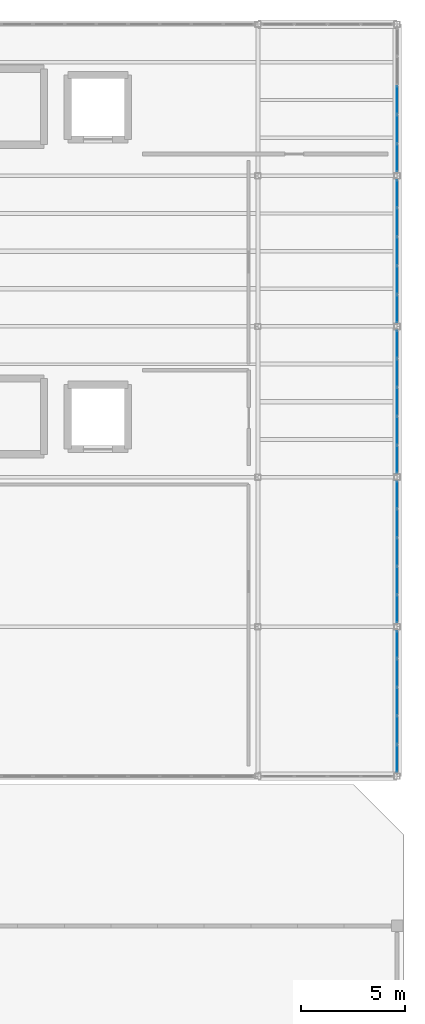
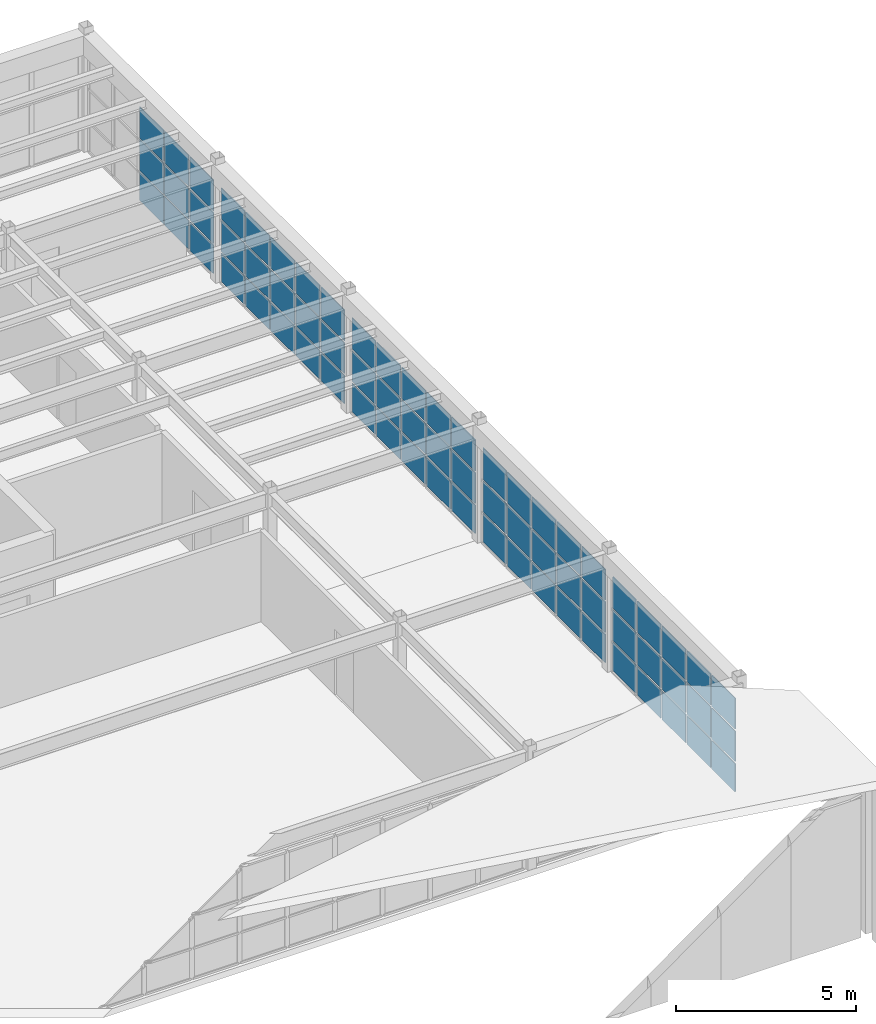
# One storey, part 42 of 52: 69 plates, 5 elements without a shape of their own.
"""IFC4 building model written with IfcOpenShell, lengths in metres."""

import ifcopenshell
import ifcopenshell.guid

model = None  # the IFC model being written
_history = None  # IfcOwnerHistory: only IFC2X3 demands one
_inside = {}  # id of a spatial element -> (the spatial element, [elements in it])
_under = {}  # id of a project, library or spatial element -> (it, [spatial elements below it])
_declared = {}  # id of a project -> (the project, [libraries it declares])
_typed = {}  # id of a type object -> (the type object, [elements of that type])
_made_of = {}  # id of a material, layer set ... -> (it, [elements and type objects made of it])


def new_model(schema):
    """Start an empty IFC model of exactly this schema.

    Asked for "IFC4X3", IfcOpenShell would pick the latest addendum, in which some entities
    have other attributes; the version numbers below select the first issue.
    IFC2X3 requires an IfcOwnerHistory on every rooted entity: one is made here for all.
    """
    global model, _history
    if schema == "IFC4X3":
        model = ifcopenshell.file(schema_version=(4, 3, 0, 0))
    else:
        model = ifcopenshell.file(schema=schema)
    _inside.clear()
    _under.clear()
    _declared.clear()
    _typed.clear()
    _made_of.clear()
    _history = None
    if model.schema == "IFC2X3":
        org = make("IfcOrganization", Name="unknown")
        user = make(
            "IfcPersonAndOrganization",
            ThePerson=make("IfcPerson", FamilyName="unknown"),
            TheOrganization=org,
        )
        app = make(
            "IfcApplication",
            ApplicationDeveloper=org,
            Version="unknown",
            ApplicationFullName="unknown",
            ApplicationIdentifier="unknown",
        )
        _history = make(
            "IfcOwnerHistory",
            OwningUser=user,
            OwningApplication=app,
            ChangeAction="ADDED",
            CreationDate=0,
        )
    return model


def make(cls, **values):
    """One entity of the class cls with the attributes given. An attribute that is None is left unset."""
    return model.create_entity(
        cls, **{name: value for name, value in values.items() if value is not None}
    )


def rooted(cls, **values):
    """An entity with a GlobalId (a new one), such as an element, a storey or a relation."""
    return make(cls, GlobalId=ifcopenshell.guid.new(), OwnerHistory=_history, **values)


def si_unit(unit_type, name, prefix=None):
    """IfcSIUnit, for example si_unit("LENGTHUNIT", "METRE", prefix="MILLI")."""
    return make("IfcSIUnit", UnitType=unit_type, Prefix=prefix, Name=name)


def assignment(units):
    """IfcUnitAssignment: the units of a project."""
    return None if units is None else make("IfcUnitAssignment", Units=units)


def point(xyz):
    """IfcCartesianPoint."""
    return None if xyz is None else make("IfcCartesianPoint", Coordinates=xyz)


def direction(xyz):
    """IfcDirection."""
    return None if xyz is None else make("IfcDirection", DirectionRatios=xyz)


def frame(location, z_axis=None, x_axis=None):
    """IfcAxis2Placement3D, a coordinate frame: its origin and axes. An axis left out is left unset."""
    return make(
        "IfcAxis2Placement3D",
        Location=point(location),
        Axis=direction(z_axis),
        RefDirection=direction(x_axis),
    )


def frame_2d(location, x_axis=None):
    """IfcAxis2Placement2D, a coordinate frame in the plane: its origin and x axis."""
    return make(
        "IfcAxis2Placement2D", Location=point(location), RefDirection=direction(x_axis)
    )


def origin():
    """The frame at (0, 0, 0) with its axes left unset."""
    return frame((0.0, 0.0, 0.0))


def origin_2d():
    """The frame at (0, 0) in the plane with its x axis left unset."""
    return frame_2d((0.0, 0.0))


def place(relative_to, where):
    """IfcLocalPlacement: puts the frame where relative to a parent placement (None: the world)."""
    return make(
        "IfcLocalPlacement", PlacementRelTo=relative_to, RelativePlacement=where
    )


def context(
    kind, dimensions, precision=None, world=None, true_north=None, identifier=None
):
    """IfcGeometricRepresentationContext, for example the 3D "Model" context."""
    return make(
        "IfcGeometricRepresentationContext",
        ContextIdentifier=identifier,
        ContextType=kind,
        CoordinateSpaceDimension=dimensions,
        Precision=precision,
        WorldCoordinateSystem=world,
        TrueNorth=true_north,
    )


def subcontext(parent, identifier, kind, view, scale=None):
    """IfcGeometricRepresentationSubContext, for example "Body" below "Model"."""
    return make(
        "IfcGeometricRepresentationSubContext",
        ContextIdentifier=identifier,
        ContextType=kind,
        ParentContext=parent,
        TargetScale=scale,
        TargetView=view,
    )


def project(units=None, contexts=None):
    """IfcProject with its units and contexts."""
    return rooted(
        "IfcProject",
        Name="project",
        RepresentationContexts=contexts,
        UnitsInContext=assignment(units),
    )


def spatial(cls, under=None, at=None, **own):
    """A site, building, storey or space (cls), placed at a placement, below another one or the project."""
    s = rooted(cls, ObjectPlacement=at, **own)
    if under is not None:
        _under.setdefault(under.id(), (under, []))[1].append(s)
    return s


def profile(cls, at=None, kind="AREA", **sizes):
    """A parametric profile (cls). Its sizes go by their IFC names, for example OverallWidth=200.0."""
    return make(cls, ProfileType=kind, Position=at, **sizes)


def rectangle(**sizes):
    """IfcRectangleProfileDef."""
    return profile("IfcRectangleProfileDef", **sizes)


def extrude(swept, where, along, depth):
    """IfcExtrudedAreaSolid: the profile swept, set in the frame where, extruded along a direction by depth."""
    return make(
        "IfcExtrudedAreaSolid",
        SweptArea=swept,
        Position=where,
        ExtrudedDirection=direction(along),
        Depth=depth,
    )


def shape(context_of_items, identifier, shape_type, items):
    """IfcShapeRepresentation: the items that make up one representation, for example the "Body"."""
    return make(
        "IfcShapeRepresentation",
        ContextOfItems=context_of_items,
        RepresentationIdentifier=identifier,
        RepresentationType=shape_type,
        Items=items,
    )


def material(Name=None, Category=None):
    """IfcMaterial."""
    return make("IfcMaterial", Name=Name, Category=Category)


def layer(
    of_material, thickness, ventilated=None, Name=None, Category=None, Priority=None
):
    """IfcMaterialLayer: one layer of a wall or slab, of a material (None: an air gap)."""
    return make(
        "IfcMaterialLayer",
        Material=of_material,
        LayerThickness=thickness,
        IsVentilated=ventilated,
        Name=Name,
        Category=Category,
        Priority=Priority,
    )


def layer_set(layers, Name=None):
    """IfcMaterialLayerSet."""
    return make("IfcMaterialLayerSet", MaterialLayers=layers, LayerSetName=Name)


def made_of(thing, what):
    """Note that an element or type object is made of a material, layer set ...; save() writes the relation."""
    if what is not None:
        _made_of.setdefault(what.id(), (what, []))[1].append(thing)
    return thing


def type_object(cls, material=None, **own):
    """A type object (cls), such as IfcWallType, which elements share."""
    return made_of(rooted(cls, **own), material)


def element(
    cls,
    number,
    at=None,
    inside=None,
    cuts=None,
    type_object=None,
    material=None,
    context=None,
    identifier="Body",
    shape_type=None,
    held_by="IfcProductDefinitionShape",
    body=None,
    shapes=None,
    **own,
):
    """One element of the class cls, such as IfcWall. Its Tag is "e" and its number.

    at: its placement. inside: the storey or other place that contains it. cuts: it is an
    opening in that element (IfcRelVoidsElement). A single representation is given by context,
    identifier, shape_type and body (its items); several are given by shapes. held_by: the class
    of the entity that holds the representations. save() writes the other relations.
    """
    e = rooted(cls, Tag="e%d" % number, ObjectPlacement=at, **own)
    if body is not None:
        shapes = [shape(context, identifier, shape_type, body)]
    if shapes is not None:
        e.Representation = make(held_by, Representations=shapes)
    if inside is not None:
        _inside.setdefault(inside.id(), (inside, []))[1].append(e)
    if cuts is not None:
        rooted(
            "IfcRelVoidsElement", RelatingBuildingElement=cuts, RelatedOpeningElement=e
        )
    if type_object is not None:
        _typed.setdefault(type_object.id(), (type_object, []))[1].append(e)
    return made_of(e, material)


def aggregate(whole, parts):
    """IfcRelAggregates: a whole, such as a stair, and the parts it consists of."""
    return rooted("IfcRelAggregates", RelatingObject=whole, RelatedObjects=parts)


def save(model, path):
    """Write the relations noted so far, then the file.

    IfcRelAggregates (storeys below a building ...), IfcRelContainedInSpatialStructure (elements
    in a storey), IfcRelDefinesByType, IfcRelAssociatesMaterial and IfcRelDeclares: one each for
    every whole, place, type object, material and project.
    """
    for whole, parts in _under.values():
        aggregate(whole, parts)
    for where, things in _inside.values():
        rooted(
            "IfcRelContainedInSpatialStructure",
            RelatedElements=things,
            RelatingStructure=where,
        )
    for kind, things in _typed.values():
        rooted("IfcRelDefinesByType", RelatedObjects=things, RelatingType=kind)
    for what, things in _made_of.values():
        rooted("IfcRelAssociatesMaterial", RelatedObjects=things, RelatingMaterial=what)
    for by, libraries in _declared.values():
        rooted("IfcRelDeclares", RelatingContext=by, RelatedDefinitions=libraries)
    model.write(path)


model = new_model("IFC4")

# Units and contexts
model_context = context("Model", 3, precision=1e-05, world=origin(), true_north=direction((0.0, 1.0)))
body_context = subcontext(model_context, "Body", "Model", "MODEL_VIEW")
ifc_project = project(units=[si_unit("LENGTHUNIT", "METRE"), si_unit("AREAUNIT", "SQUARE_METRE"), si_unit("VOLUMEUNIT", "CUBIC_METRE"), si_unit("PLANEANGLEUNIT", "RADIAN"), si_unit("MASSUNIT", "GRAM", prefix="KILO")], contexts=[model_context])

# Site, building, storey
site_placement = place(None, origin())
site = spatial("IfcSite", under=ifc_project, at=site_placement, CompositionType="ELEMENT")
building_placement = place(site_placement, origin())
building = spatial("IfcBuilding", under=site, at=building_placement, Name="Candilejo Ridge Gondola Terminal", CompositionType="ELEMENT")
storey_placement = place(building_placement, frame((0.0, 0.0, 18.60009765625)))
storey = spatial("IfcBuildingStorey", under=building, at=storey_placement, Name="L04", CompositionType="ELEMENT", Elevation=18.60009765625)

# Curtain wall, plates
ifc_material_1 = material(Name="Anodised aluminium AA 6063-T6", Category="aluminium")
ifc_layer_1 = layer(ifc_material_1, 0.169921875)
ifc_layer_set_1 = layer_set([ifc_layer_1], Name="ARC-CW-TOWER-3000-690X329")
curtain_wall_type_1 = type_object("IfcCurtainWallType", Name="ARC-CW-TOWER-3000-690X329", PredefinedType="NOTDEFINED", material=ifc_layer_set_1)
curtain_wall_1_placement = place(storey_placement, origin())
curtain_wall_1 = element("IfcCurtainWall", 1, at=curtain_wall_1_placement, inside=storey, type_object=curtain_wall_type_1, Name="Curtain wall V5 L04-213", PredefinedType="NOTDEFINED")
ifc_material_2 = material(Name="Low-E laminated double glazing 6+12A+6+1.52PVB+6 mm", Category="glass")
ifc_layer_2 = layer(ifc_material_2, 0.028076171875)
ifc_layer_set_2 = layer_set([ifc_layer_2], Name="ARC-CW-GLAZ-PANEL")
plate_type = type_object("IfcPlateType", Name="ARC-CW-GLAZ-PANEL", PredefinedType="CURTAIN_PANEL", material=ifc_layer_set_2)
plate_1_placement = place(storey_placement, frame((175.300048828125, 85.50634765625, 0.059814453125), z_axis=(0.0, 0.0, 1.0), x_axis=(0.0, 1.0, 0.0)))
plate_1 = element("IfcPlate", 2, at=plate_1_placement, type_object=plate_type, Name="CW-69X32 panel 1.1", PredefinedType="CURTAIN_PANEL", context=body_context, shape_type="SweptSolid", body=[
    extrude(rectangle(XDim=1.282470703125, YDim=0.028076171875, at=origin_2d()), origin(), (0.0, 0.0, 1.0), 0.9599609375),
])
plate_2_placement = place(storey_placement, frame((175.300048828125, 85.50634765625, 1.079833984375), z_axis=(0.0, 0.0, 1.0), x_axis=(0.0, 1.0, 0.0)))
plate_2 = element("IfcPlate", 3, at=plate_2_placement, type_object=plate_type, Name="CW-69X32 panel 1.2", PredefinedType="CURTAIN_PANEL", context=body_context, shape_type="SweptSolid", body=[
    extrude(rectangle(XDim=1.282470703125, YDim=0.028076171875, at=origin_2d()), origin(), (0.0, 0.0, 1.0), 1.0400390625),
])
plate_3_placement = place(storey_placement, frame((175.300048828125, 85.50634765625, 2.1796875), z_axis=(0.0, 0.0, 1.0), x_axis=(0.0, 1.0, 0.0)))
plate_3 = element("IfcPlate", 4, at=plate_3_placement, type_object=plate_type, Name="CW-69X32 panel 1.3", PredefinedType="CURTAIN_PANEL", context=body_context, shape_type="SweptSolid", body=[
    extrude(rectangle(XDim=1.282470703125, YDim=0.028076171875, at=origin_2d()), origin(), (0.0, 0.0, 1.0), 1.050048828125),
])
plate_4_placement = place(storey_placement, frame((175.300048828125, 86.8701171875, 0.059814453125), z_axis=(0.0, 0.0, 1.0), x_axis=(0.0, 1.0, 0.0)))
plate_4 = element("IfcPlate", 5, at=plate_4_placement, type_object=plate_type, Name="CW-69X32 panel 2.1", PredefinedType="CURTAIN_PANEL", context=body_context, shape_type="SweptSolid", body=[
    extrude(rectangle(XDim=1.31494140625, YDim=0.028076171875, at=origin_2d()), origin(), (0.0, 0.0, 1.0), 0.9599609375),
])
plate_5_placement = place(storey_placement, frame((175.300048828125, 86.8701171875, 1.079833984375), z_axis=(0.0, 0.0, 1.0), x_axis=(0.0, 1.0, 0.0)))
plate_5 = element("IfcPlate", 6, at=plate_5_placement, type_object=plate_type, Name="CW-69X32 panel 2.2", PredefinedType="CURTAIN_PANEL", context=body_context, shape_type="SweptSolid", body=[
    extrude(rectangle(XDim=1.31494140625, YDim=0.028076171875, at=origin_2d()), origin(), (0.0, 0.0, 1.0), 1.0400390625),
])
plate_6_placement = place(storey_placement, frame((175.300048828125, 86.8701171875, 2.1796875), z_axis=(0.0, 0.0, 1.0), x_axis=(0.0, 1.0, 0.0)))
plate_6 = element("IfcPlate", 7, at=plate_6_placement, type_object=plate_type, Name="CW-69X32 panel 2.3", PredefinedType="CURTAIN_PANEL", context=body_context, shape_type="SweptSolid", body=[
    extrude(rectangle(XDim=1.31494140625, YDim=0.028076171875, at=origin_2d()), origin(), (0.0, 0.0, 1.0), 1.050048828125),
])
plate_7_placement = place(storey_placement, frame((175.300048828125, 88.25, 0.059814453125), z_axis=(0.0, 0.0, 1.0), x_axis=(0.0, 1.0, 0.0)))
plate_7 = element("IfcPlate", 8, at=plate_7_placement, type_object=plate_type, Name="CW-69X32 panel 3.1", PredefinedType="CURTAIN_PANEL", context=body_context, shape_type="SweptSolid", body=[
    extrude(rectangle(XDim=1.31494140625, YDim=0.028076171875, at=origin_2d()), origin(), (0.0, 0.0, 1.0), 0.9599609375),
])
plate_8_placement = place(storey_placement, frame((175.300048828125, 88.25, 1.079833984375), z_axis=(0.0, 0.0, 1.0), x_axis=(0.0, 1.0, 0.0)))
plate_8 = element("IfcPlate", 9, at=plate_8_placement, type_object=plate_type, Name="CW-69X32 panel 3.2", PredefinedType="CURTAIN_PANEL", context=body_context, shape_type="SweptSolid", body=[
    extrude(rectangle(XDim=1.31494140625, YDim=0.028076171875, at=origin_2d()), origin(), (0.0, 0.0, 1.0), 1.0400390625),
])
plate_9_placement = place(storey_placement, frame((175.300048828125, 88.25, 2.1796875), z_axis=(0.0, 0.0, 1.0), x_axis=(0.0, 1.0, 0.0)))
plate_9 = element("IfcPlate", 10, at=plate_9_placement, type_object=plate_type, Name="CW-69X32 panel 3.3", PredefinedType="CURTAIN_PANEL", context=body_context, shape_type="SweptSolid", body=[
    extrude(rectangle(XDim=1.31494140625, YDim=0.028076171875, at=origin_2d()), origin(), (0.0, 0.0, 1.0), 1.050048828125),
])
plate_10_placement = place(storey_placement, frame((175.300048828125, 89.6298828125, 0.059814453125), z_axis=(0.0, 0.0, 1.0), x_axis=(0.0, 1.0, 0.0)))
plate_10 = element("IfcPlate", 11, at=plate_10_placement, type_object=plate_type, Name="CW-69X32 panel 4.1", PredefinedType="CURTAIN_PANEL", context=body_context, shape_type="SweptSolid", body=[
    extrude(rectangle(XDim=1.31494140625, YDim=0.028076171875, at=origin_2d()), origin(), (0.0, 0.0, 1.0), 0.9599609375),
])
plate_11_placement = place(storey_placement, frame((175.300048828125, 89.6298828125, 1.079833984375), z_axis=(0.0, 0.0, 1.0), x_axis=(0.0, 1.0, 0.0)))
plate_11 = element("IfcPlate", 12, at=plate_11_placement, type_object=plate_type, Name="CW-69X32 panel 4.2", PredefinedType="CURTAIN_PANEL", context=body_context, shape_type="SweptSolid", body=[
    extrude(rectangle(XDim=1.31494140625, YDim=0.028076171875, at=origin_2d()), origin(), (0.0, 0.0, 1.0), 1.0400390625),
])
plate_12_placement = place(storey_placement, frame((175.300048828125, 89.6298828125, 2.1796875), z_axis=(0.0, 0.0, 1.0), x_axis=(0.0, 1.0, 0.0)))
plate_12 = element("IfcPlate", 13, at=plate_12_placement, type_object=plate_type, Name="CW-69X32 panel 4.3", PredefinedType="CURTAIN_PANEL", context=body_context, shape_type="SweptSolid", body=[
    extrude(rectangle(XDim=1.31494140625, YDim=0.028076171875, at=origin_2d()), origin(), (0.0, 0.0, 1.0), 1.050048828125),
])
plate_13_placement = place(storey_placement, frame((175.300048828125, 90.99365234375, 0.059814453125), z_axis=(0.0, 0.0, 1.0), x_axis=(0.0, 1.0, 0.0)))
plate_13 = element("IfcPlate", 14, at=plate_13_placement, type_object=plate_type, Name="CW-69X32 panel 5.1", PredefinedType="CURTAIN_PANEL", context=body_context, shape_type="SweptSolid", body=[
    extrude(rectangle(XDim=1.282470703125, YDim=0.028076171875, at=origin_2d()), origin(), (0.0, 0.0, 1.0), 0.9599609375),
])
plate_14_placement = place(storey_placement, frame((175.300048828125, 90.99365234375, 1.079833984375), z_axis=(0.0, 0.0, 1.0), x_axis=(0.0, 1.0, 0.0)))
plate_14 = element("IfcPlate", 15, at=plate_14_placement, type_object=plate_type, Name="CW-69X32 panel 5.2", PredefinedType="CURTAIN_PANEL", context=body_context, shape_type="SweptSolid", body=[
    extrude(rectangle(XDim=1.282470703125, YDim=0.028076171875, at=origin_2d()), origin(), (0.0, 0.0, 1.0), 1.0400390625),
])
plate_15_placement = place(storey_placement, frame((175.300048828125, 90.99365234375, 2.1796875), z_axis=(0.0, 0.0, 1.0), x_axis=(0.0, 1.0, 0.0)))
plate_15 = element("IfcPlate", 16, at=plate_15_placement, type_object=plate_type, Name="CW-69X32 panel 5.3", PredefinedType="CURTAIN_PANEL", context=body_context, shape_type="SweptSolid", body=[
    extrude(rectangle(XDim=1.282470703125, YDim=0.028076171875, at=origin_2d()), origin(), (0.0, 0.0, 1.0), 1.050048828125),
])
aggregate(curtain_wall_1, [plate_1, plate_2, plate_3, plate_4, plate_5, plate_6, plate_7, plate_8, plate_9, plate_10, plate_11, plate_12, plate_13, plate_14, plate_15])

curtain_wall_2_placement = place(storey_placement, origin())
curtain_wall_2 = element("IfcCurtainWall", 17, at=curtain_wall_2_placement, inside=storey, type_object=curtain_wall_type_1, Name="Curtain wall V5 L04-215", PredefinedType="NOTDEFINED")
plate_16_placement = place(storey_placement, frame((175.300048828125, 92.706298828125, 0.059814453125), z_axis=(0.0, 0.0, 1.0), x_axis=(0.0, 1.0, 0.0)))
plate_16 = element("IfcPlate", 18, at=plate_16_placement, type_object=plate_type, Name="CW-69X32 panel 1.1", PredefinedType="CURTAIN_PANEL", context=body_context, shape_type="SweptSolid", body=[
    extrude(rectangle(XDim=1.282470703125, YDim=0.028076171875, at=origin_2d()), origin(), (0.0, 0.0, 1.0), 0.9599609375),
])
plate_17_placement = place(storey_placement, frame((175.300048828125, 92.706298828125, 1.079833984375), z_axis=(0.0, 0.0, 1.0), x_axis=(0.0, 1.0, 0.0)))
plate_17 = element("IfcPlate", 19, at=plate_17_placement, type_object=plate_type, Name="CW-69X32 panel 1.2", PredefinedType="CURTAIN_PANEL", context=body_context, shape_type="SweptSolid", body=[
    extrude(rectangle(XDim=1.282470703125, YDim=0.028076171875, at=origin_2d()), origin(), (0.0, 0.0, 1.0), 1.0400390625),
])
plate_18_placement = place(storey_placement, frame((175.300048828125, 92.706298828125, 2.1796875), z_axis=(0.0, 0.0, 1.0), x_axis=(0.0, 1.0, 0.0)))
plate_18 = element("IfcPlate", 20, at=plate_18_placement, type_object=plate_type, Name="CW-69X32 panel 1.3", PredefinedType="CURTAIN_PANEL", context=body_context, shape_type="SweptSolid", body=[
    extrude(rectangle(XDim=1.282470703125, YDim=0.028076171875, at=origin_2d()), origin(), (0.0, 0.0, 1.0), 1.050048828125),
])
plate_19_placement = place(storey_placement, frame((175.300048828125, 94.070068359375, 0.059814453125), z_axis=(0.0, 0.0, 1.0), x_axis=(0.0, 1.0, 0.0)))
plate_19 = element("IfcPlate", 21, at=plate_19_placement, type_object=plate_type, Name="CW-69X32 panel 2.1", PredefinedType="CURTAIN_PANEL", context=body_context, shape_type="SweptSolid", body=[
    extrude(rectangle(XDim=1.31494140625, YDim=0.028076171875, at=origin_2d()), origin(), (0.0, 0.0, 1.0), 0.9599609375),
])
plate_20_placement = place(storey_placement, frame((175.300048828125, 94.070068359375, 1.079833984375), z_axis=(0.0, 0.0, 1.0), x_axis=(0.0, 1.0, 0.0)))
plate_20 = element("IfcPlate", 22, at=plate_20_placement, type_object=plate_type, Name="CW-69X32 panel 2.2", PredefinedType="CURTAIN_PANEL", context=body_context, shape_type="SweptSolid", body=[
    extrude(rectangle(XDim=1.31494140625, YDim=0.028076171875, at=origin_2d()), origin(), (0.0, 0.0, 1.0), 1.0400390625),
])
plate_21_placement = place(storey_placement, frame((175.300048828125, 94.070068359375, 2.1796875), z_axis=(0.0, 0.0, 1.0), x_axis=(0.0, 1.0, 0.0)))
plate_21 = element("IfcPlate", 23, at=plate_21_placement, type_object=plate_type, Name="CW-69X32 panel 2.3", PredefinedType="CURTAIN_PANEL", context=body_context, shape_type="SweptSolid", body=[
    extrude(rectangle(XDim=1.31494140625, YDim=0.028076171875, at=origin_2d()), origin(), (0.0, 0.0, 1.0), 1.050048828125),
])
plate_22_placement = place(storey_placement, frame((175.300048828125, 95.449951171875, 0.059814453125), z_axis=(0.0, 0.0, 1.0), x_axis=(0.0, 1.0, 0.0)))
plate_22 = element("IfcPlate", 24, at=plate_22_placement, type_object=plate_type, Name="CW-69X32 panel 3.1", PredefinedType="CURTAIN_PANEL", context=body_context, shape_type="SweptSolid", body=[
    extrude(rectangle(XDim=1.31494140625, YDim=0.028076171875, at=origin_2d()), origin(), (0.0, 0.0, 1.0), 0.9599609375),
])
plate_23_placement = place(storey_placement, frame((175.300048828125, 95.449951171875, 1.079833984375), z_axis=(0.0, 0.0, 1.0), x_axis=(0.0, 1.0, 0.0)))
plate_23 = element("IfcPlate", 25, at=plate_23_placement, type_object=plate_type, Name="CW-69X32 panel 3.2", PredefinedType="CURTAIN_PANEL", context=body_context, shape_type="SweptSolid", body=[
    extrude(rectangle(XDim=1.31494140625, YDim=0.028076171875, at=origin_2d()), origin(), (0.0, 0.0, 1.0), 1.0400390625),
])
plate_24_placement = place(storey_placement, frame((175.300048828125, 95.449951171875, 2.1796875), z_axis=(0.0, 0.0, 1.0), x_axis=(0.0, 1.0, 0.0)))
plate_24 = element("IfcPlate", 26, at=plate_24_placement, type_object=plate_type, Name="CW-69X32 panel 3.3", PredefinedType="CURTAIN_PANEL", context=body_context, shape_type="SweptSolid", body=[
    extrude(rectangle(XDim=1.31494140625, YDim=0.028076171875, at=origin_2d()), origin(), (0.0, 0.0, 1.0), 1.050048828125),
])
plate_25_placement = place(storey_placement, frame((175.300048828125, 96.830078125, 0.059814453125), z_axis=(0.0, 0.0, 1.0), x_axis=(0.0, 1.0, 0.0)))
plate_25 = element("IfcPlate", 27, at=plate_25_placement, type_object=plate_type, Name="CW-69X32 panel 4.1", PredefinedType="CURTAIN_PANEL", context=body_context, shape_type="SweptSolid", body=[
    extrude(rectangle(XDim=1.31494140625, YDim=0.028076171875, at=origin_2d()), origin(), (0.0, 0.0, 1.0), 0.9599609375),
])
plate_26_placement = place(storey_placement, frame((175.300048828125, 96.830078125, 1.079833984375), z_axis=(0.0, 0.0, 1.0), x_axis=(0.0, 1.0, 0.0)))
plate_26 = element("IfcPlate", 28, at=plate_26_placement, type_object=plate_type, Name="CW-69X32 panel 4.2", PredefinedType="CURTAIN_PANEL", context=body_context, shape_type="SweptSolid", body=[
    extrude(rectangle(XDim=1.31494140625, YDim=0.028076171875, at=origin_2d()), origin(), (0.0, 0.0, 1.0), 1.0400390625),
])
plate_27_placement = place(storey_placement, frame((175.300048828125, 96.830078125, 2.1796875), z_axis=(0.0, 0.0, 1.0), x_axis=(0.0, 1.0, 0.0)))
plate_27 = element("IfcPlate", 29, at=plate_27_placement, type_object=plate_type, Name="CW-69X32 panel 4.3", PredefinedType="CURTAIN_PANEL", context=body_context, shape_type="SweptSolid", body=[
    extrude(rectangle(XDim=1.31494140625, YDim=0.028076171875, at=origin_2d()), origin(), (0.0, 0.0, 1.0), 1.050048828125),
])
plate_28_placement = place(storey_placement, frame((175.300048828125, 98.19384765625, 0.059814453125), z_axis=(0.0, 0.0, 1.0), x_axis=(0.0, 1.0, 0.0)))
plate_28 = element("IfcPlate", 30, at=plate_28_placement, type_object=plate_type, Name="CW-69X32 panel 5.1", PredefinedType="CURTAIN_PANEL", context=body_context, shape_type="SweptSolid", body=[
    extrude(rectangle(XDim=1.282470703125, YDim=0.028076171875, at=origin_2d()), origin(), (0.0, 0.0, 1.0), 0.9599609375),
])
plate_29_placement = place(storey_placement, frame((175.300048828125, 98.19384765625, 1.079833984375), z_axis=(0.0, 0.0, 1.0), x_axis=(0.0, 1.0, 0.0)))
plate_29 = element("IfcPlate", 31, at=plate_29_placement, type_object=plate_type, Name="CW-69X32 panel 5.2", PredefinedType="CURTAIN_PANEL", context=body_context, shape_type="SweptSolid", body=[
    extrude(rectangle(XDim=1.282470703125, YDim=0.028076171875, at=origin_2d()), origin(), (0.0, 0.0, 1.0), 1.0400390625),
])
plate_30_placement = place(storey_placement, frame((175.300048828125, 98.19384765625, 2.1796875), z_axis=(0.0, 0.0, 1.0), x_axis=(0.0, 1.0, 0.0)))
plate_30 = element("IfcPlate", 32, at=plate_30_placement, type_object=plate_type, Name="CW-69X32 panel 5.3", PredefinedType="CURTAIN_PANEL", context=body_context, shape_type="SweptSolid", body=[
    extrude(rectangle(XDim=1.282470703125, YDim=0.028076171875, at=origin_2d()), origin(), (0.0, 0.0, 1.0), 1.050048828125),
])
aggregate(curtain_wall_2, [plate_16, plate_17, plate_18, plate_19, plate_20, plate_21, plate_22, plate_23, plate_24, plate_25, plate_26, plate_27, plate_28, plate_29, plate_30])

ifc_material_3 = material(Name="Anodised aluminium AA 6063-T6", Category="aluminium")
ifc_layer_3 = layer(ifc_material_3, 0.169921875)
ifc_layer_set_3 = layer_set([ifc_layer_3], Name="ARC-CW-TOWER-3000-695X329")
curtain_wall_type_2 = type_object("IfcCurtainWallType", Name="ARC-CW-TOWER-3000-695X329", PredefinedType="NOTDEFINED", material=ifc_layer_set_3)
curtain_wall_3_placement = place(storey_placement, origin())
curtain_wall_3 = element("IfcCurtainWall", 33, at=curtain_wall_3_placement, inside=storey, type_object=curtain_wall_type_2, Name="Curtain wall V5 L04-217", PredefinedType="NOTDEFINED")
plate_31_placement = place(storey_placement, frame((175.300048828125, 99.9111328125, 0.059814453125), z_axis=(0.0, 0.0, 1.0), x_axis=(0.0, 1.0, 0.0)))
plate_31 = element("IfcPlate", 34, at=plate_31_placement, type_object=plate_type, Name="CW-69X32 panel 1.1", PredefinedType="CURTAIN_PANEL", context=body_context, shape_type="SweptSolid", body=[
    extrude(rectangle(XDim=1.29248046875, YDim=0.028076171875, at=origin_2d()), origin(), (0.0, 0.0, 1.0), 0.9599609375),
])
plate_32_placement = place(storey_placement, frame((175.300048828125, 99.9111328125, 1.079833984375), z_axis=(0.0, 0.0, 1.0), x_axis=(0.0, 1.0, 0.0)))
plate_32 = element("IfcPlate", 35, at=plate_32_placement, type_object=plate_type, Name="CW-69X32 panel 1.2", PredefinedType="CURTAIN_PANEL", context=body_context, shape_type="SweptSolid", body=[
    extrude(rectangle(XDim=1.29248046875, YDim=0.028076171875, at=origin_2d()), origin(), (0.0, 0.0, 1.0), 1.0400390625),
])
plate_33_placement = place(storey_placement, frame((175.300048828125, 99.9111328125, 2.1796875), z_axis=(0.0, 0.0, 1.0), x_axis=(0.0, 1.0, 0.0)))
plate_33 = element("IfcPlate", 36, at=plate_33_placement, type_object=plate_type, Name="CW-69X32 panel 1.3", PredefinedType="CURTAIN_PANEL", context=body_context, shape_type="SweptSolid", body=[
    extrude(rectangle(XDim=1.29248046875, YDim=0.028076171875, at=origin_2d()), origin(), (0.0, 0.0, 1.0), 1.050048828125),
])
plate_34_placement = place(storey_placement, frame((175.300048828125, 101.284912109375, 0.059814453125), z_axis=(0.0, 0.0, 1.0), x_axis=(0.0, 1.0, 0.0)))
plate_34 = element("IfcPlate", 37, at=plate_34_placement, type_object=plate_type, Name="CW-69X32 panel 2.1", PredefinedType="CURTAIN_PANEL", context=body_context, shape_type="SweptSolid", body=[
    extrude(rectangle(XDim=1.324951171875, YDim=0.028076171875, at=origin_2d()), origin(), (0.0, 0.0, 1.0), 0.9599609375),
])
plate_35_placement = place(storey_placement, frame((175.300048828125, 101.284912109375, 1.079833984375), z_axis=(0.0, 0.0, 1.0), x_axis=(0.0, 1.0, 0.0)))
plate_35 = element("IfcPlate", 38, at=plate_35_placement, type_object=plate_type, Name="CW-69X32 panel 2.2", PredefinedType="CURTAIN_PANEL", context=body_context, shape_type="SweptSolid", body=[
    extrude(rectangle(XDim=1.324951171875, YDim=0.028076171875, at=origin_2d()), origin(), (0.0, 0.0, 1.0), 1.0400390625),
])
plate_36_placement = place(storey_placement, frame((175.300048828125, 101.284912109375, 2.1796875), z_axis=(0.0, 0.0, 1.0), x_axis=(0.0, 1.0, 0.0)))
plate_36 = element("IfcPlate", 39, at=plate_36_placement, type_object=plate_type, Name="CW-69X32 panel 2.3", PredefinedType="CURTAIN_PANEL", context=body_context, shape_type="SweptSolid", body=[
    extrude(rectangle(XDim=1.324951171875, YDim=0.028076171875, at=origin_2d()), origin(), (0.0, 0.0, 1.0), 1.050048828125),
])
plate_37_placement = place(storey_placement, frame((175.300048828125, 102.675048828125, 0.059814453125), z_axis=(0.0, 0.0, 1.0), x_axis=(0.0, 1.0, 0.0)))
plate_37 = element("IfcPlate", 40, at=plate_37_placement, type_object=plate_type, Name="CW-69X32 panel 3.1", PredefinedType="CURTAIN_PANEL", context=body_context, shape_type="SweptSolid", body=[
    extrude(rectangle(XDim=1.324951171875, YDim=0.028076171875, at=origin_2d()), origin(), (0.0, 0.0, 1.0), 0.9599609375),
])
plate_38_placement = place(storey_placement, frame((175.300048828125, 102.675048828125, 1.079833984375), z_axis=(0.0, 0.0, 1.0), x_axis=(0.0, 1.0, 0.0)))
plate_38 = element("IfcPlate", 41, at=plate_38_placement, type_object=plate_type, Name="CW-69X32 panel 3.2", PredefinedType="CURTAIN_PANEL", context=body_context, shape_type="SweptSolid", body=[
    extrude(rectangle(XDim=1.324951171875, YDim=0.028076171875, at=origin_2d()), origin(), (0.0, 0.0, 1.0), 1.0400390625),
])
plate_39_placement = place(storey_placement, frame((175.300048828125, 102.675048828125, 2.1796875), z_axis=(0.0, 0.0, 1.0), x_axis=(0.0, 1.0, 0.0)))
plate_39 = element("IfcPlate", 42, at=plate_39_placement, type_object=plate_type, Name="CW-69X32 panel 3.3", PredefinedType="CURTAIN_PANEL", context=body_context, shape_type="SweptSolid", body=[
    extrude(rectangle(XDim=1.324951171875, YDim=0.028076171875, at=origin_2d()), origin(), (0.0, 0.0, 1.0), 1.050048828125),
])
plate_40_placement = place(storey_placement, frame((175.300048828125, 104.06494140625, 0.059814453125), z_axis=(0.0, 0.0, 1.0), x_axis=(0.0, 1.0, 0.0)))
plate_40 = element("IfcPlate", 43, at=plate_40_placement, type_object=plate_type, Name="CW-69X32 panel 4.1", PredefinedType="CURTAIN_PANEL", context=body_context, shape_type="SweptSolid", body=[
    extrude(rectangle(XDim=1.324951171875, YDim=0.028076171875, at=origin_2d()), origin(), (0.0, 0.0, 1.0), 0.9599609375),
])
plate_41_placement = place(storey_placement, frame((175.300048828125, 104.06494140625, 1.079833984375), z_axis=(0.0, 0.0, 1.0), x_axis=(0.0, 1.0, 0.0)))
plate_41 = element("IfcPlate", 44, at=plate_41_placement, type_object=plate_type, Name="CW-69X32 panel 4.2", PredefinedType="CURTAIN_PANEL", context=body_context, shape_type="SweptSolid", body=[
    extrude(rectangle(XDim=1.324951171875, YDim=0.028076171875, at=origin_2d()), origin(), (0.0, 0.0, 1.0), 1.0400390625),
])
plate_42_placement = place(storey_placement, frame((175.300048828125, 104.06494140625, 2.1796875), z_axis=(0.0, 0.0, 1.0), x_axis=(0.0, 1.0, 0.0)))
plate_42 = element("IfcPlate", 45, at=plate_42_placement, type_object=plate_type, Name="CW-69X32 panel 4.3", PredefinedType="CURTAIN_PANEL", context=body_context, shape_type="SweptSolid", body=[
    extrude(rectangle(XDim=1.324951171875, YDim=0.028076171875, at=origin_2d()), origin(), (0.0, 0.0, 1.0), 1.050048828125),
])
plate_43_placement = place(storey_placement, frame((175.300048828125, 105.438720703125, 0.059814453125), z_axis=(0.0, 0.0, 1.0), x_axis=(0.0, 1.0, 0.0)))
plate_43 = element("IfcPlate", 46, at=plate_43_placement, type_object=plate_type, Name="CW-69X32 panel 5.1", PredefinedType="CURTAIN_PANEL", context=body_context, shape_type="SweptSolid", body=[
    extrude(rectangle(XDim=1.29248046875, YDim=0.028076171875, at=origin_2d()), origin(), (0.0, 0.0, 1.0), 0.9599609375),
])
plate_44_placement = place(storey_placement, frame((175.300048828125, 105.438720703125, 1.079833984375), z_axis=(0.0, 0.0, 1.0), x_axis=(0.0, 1.0, 0.0)))
plate_44 = element("IfcPlate", 47, at=plate_44_placement, type_object=plate_type, Name="CW-69X32 panel 5.2", PredefinedType="CURTAIN_PANEL", context=body_context, shape_type="SweptSolid", body=[
    extrude(rectangle(XDim=1.29248046875, YDim=0.028076171875, at=origin_2d()), origin(), (0.0, 0.0, 1.0), 1.0400390625),
])
plate_45_placement = place(storey_placement, frame((175.300048828125, 105.438720703125, 2.1796875), z_axis=(0.0, 0.0, 1.0), x_axis=(0.0, 1.0, 0.0)))
plate_45 = element("IfcPlate", 48, at=plate_45_placement, type_object=plate_type, Name="CW-69X32 panel 5.3", PredefinedType="CURTAIN_PANEL", context=body_context, shape_type="SweptSolid", body=[
    extrude(rectangle(XDim=1.29248046875, YDim=0.028076171875, at=origin_2d()), origin(), (0.0, 0.0, 1.0), 1.050048828125),
])
aggregate(curtain_wall_3, [plate_31, plate_32, plate_33, plate_34, plate_35, plate_36, plate_37, plate_38, plate_39, plate_40, plate_41, plate_42, plate_43, plate_44, plate_45])

curtain_wall_4_placement = place(storey_placement, origin())
curtain_wall_4 = element("IfcCurtainWall", 49, at=curtain_wall_4_placement, inside=storey, type_object=curtain_wall_type_2, Name="Curtain wall V5 L04-219", PredefinedType="NOTDEFINED")
plate_46_placement = place(storey_placement, frame((175.300048828125, 107.1611328125, 0.059814453125), z_axis=(0.0, 0.0, 1.0), x_axis=(0.0, 1.0, 0.0)))
plate_46 = element("IfcPlate", 50, at=plate_46_placement, type_object=plate_type, Name="CW-69X32 panel 1.1", PredefinedType="CURTAIN_PANEL", context=body_context, shape_type="SweptSolid", body=[
    extrude(rectangle(XDim=1.29248046875, YDim=0.028076171875, at=origin_2d()), origin(), (0.0, 0.0, 1.0), 0.9599609375),
])
plate_47_placement = place(storey_placement, frame((175.300048828125, 107.1611328125, 1.079833984375), z_axis=(0.0, 0.0, 1.0), x_axis=(0.0, 1.0, 0.0)))
plate_47 = element("IfcPlate", 51, at=plate_47_placement, type_object=plate_type, Name="CW-69X32 panel 1.2", PredefinedType="CURTAIN_PANEL", context=body_context, shape_type="SweptSolid", body=[
    extrude(rectangle(XDim=1.29248046875, YDim=0.028076171875, at=origin_2d()), origin(), (0.0, 0.0, 1.0), 1.0400390625),
])
plate_48_placement = place(storey_placement, frame((175.300048828125, 107.1611328125, 2.1796875), z_axis=(0.0, 0.0, 1.0), x_axis=(0.0, 1.0, 0.0)))
plate_48 = element("IfcPlate", 52, at=plate_48_placement, type_object=plate_type, Name="CW-69X32 panel 1.3", PredefinedType="CURTAIN_PANEL", context=body_context, shape_type="SweptSolid", body=[
    extrude(rectangle(XDim=1.29248046875, YDim=0.028076171875, at=origin_2d()), origin(), (0.0, 0.0, 1.0), 1.050048828125),
])
plate_49_placement = place(storey_placement, frame((175.300048828125, 108.534912109375, 0.059814453125), z_axis=(0.0, 0.0, 1.0), x_axis=(0.0, 1.0, 0.0)))
plate_49 = element("IfcPlate", 53, at=plate_49_placement, type_object=plate_type, Name="CW-69X32 panel 2.1", PredefinedType="CURTAIN_PANEL", context=body_context, shape_type="SweptSolid", body=[
    extrude(rectangle(XDim=1.324951171875, YDim=0.028076171875, at=origin_2d()), origin(), (0.0, 0.0, 1.0), 0.9599609375),
])
plate_50_placement = place(storey_placement, frame((175.300048828125, 108.534912109375, 1.079833984375), z_axis=(0.0, 0.0, 1.0), x_axis=(0.0, 1.0, 0.0)))
plate_50 = element("IfcPlate", 54, at=plate_50_placement, type_object=plate_type, Name="CW-69X32 panel 2.2", PredefinedType="CURTAIN_PANEL", context=body_context, shape_type="SweptSolid", body=[
    extrude(rectangle(XDim=1.324951171875, YDim=0.028076171875, at=origin_2d()), origin(), (0.0, 0.0, 1.0), 1.0400390625),
])
plate_51_placement = place(storey_placement, frame((175.300048828125, 108.534912109375, 2.1796875), z_axis=(0.0, 0.0, 1.0), x_axis=(0.0, 1.0, 0.0)))
plate_51 = element("IfcPlate", 55, at=plate_51_placement, type_object=plate_type, Name="CW-69X32 panel 2.3", PredefinedType="CURTAIN_PANEL", context=body_context, shape_type="SweptSolid", body=[
    extrude(rectangle(XDim=1.324951171875, YDim=0.028076171875, at=origin_2d()), origin(), (0.0, 0.0, 1.0), 1.050048828125),
])
plate_52_placement = place(storey_placement, frame((175.300048828125, 109.925048828125, 0.059814453125), z_axis=(0.0, 0.0, 1.0), x_axis=(0.0, 1.0, 0.0)))
plate_52 = element("IfcPlate", 56, at=plate_52_placement, type_object=plate_type, Name="CW-69X32 panel 3.1", PredefinedType="CURTAIN_PANEL", context=body_context, shape_type="SweptSolid", body=[
    extrude(rectangle(XDim=1.324951171875, YDim=0.028076171875, at=origin_2d()), origin(), (0.0, 0.0, 1.0), 0.9599609375),
])
plate_53_placement = place(storey_placement, frame((175.300048828125, 109.925048828125, 1.079833984375), z_axis=(0.0, 0.0, 1.0), x_axis=(0.0, 1.0, 0.0)))
plate_53 = element("IfcPlate", 57, at=plate_53_placement, type_object=plate_type, Name="CW-69X32 panel 3.2", PredefinedType="CURTAIN_PANEL", context=body_context, shape_type="SweptSolid", body=[
    extrude(rectangle(XDim=1.324951171875, YDim=0.028076171875, at=origin_2d()), origin(), (0.0, 0.0, 1.0), 1.0400390625),
])
plate_54_placement = place(storey_placement, frame((175.300048828125, 109.925048828125, 2.1796875), z_axis=(0.0, 0.0, 1.0), x_axis=(0.0, 1.0, 0.0)))
plate_54 = element("IfcPlate", 58, at=plate_54_placement, type_object=plate_type, Name="CW-69X32 panel 3.3", PredefinedType="CURTAIN_PANEL", context=body_context, shape_type="SweptSolid", body=[
    extrude(rectangle(XDim=1.324951171875, YDim=0.028076171875, at=origin_2d()), origin(), (0.0, 0.0, 1.0), 1.050048828125),
])
plate_55_placement = place(storey_placement, frame((175.300048828125, 111.31494140625, 0.059814453125), z_axis=(0.0, 0.0, 1.0), x_axis=(0.0, 1.0, 0.0)))
plate_55 = element("IfcPlate", 59, at=plate_55_placement, type_object=plate_type, Name="CW-69X32 panel 4.1", PredefinedType="CURTAIN_PANEL", context=body_context, shape_type="SweptSolid", body=[
    extrude(rectangle(XDim=1.324951171875, YDim=0.028076171875, at=origin_2d()), origin(), (0.0, 0.0, 1.0), 0.9599609375),
])
plate_56_placement = place(storey_placement, frame((175.300048828125, 111.31494140625, 1.079833984375), z_axis=(0.0, 0.0, 1.0), x_axis=(0.0, 1.0, 0.0)))
plate_56 = element("IfcPlate", 60, at=plate_56_placement, type_object=plate_type, Name="CW-69X32 panel 4.2", PredefinedType="CURTAIN_PANEL", context=body_context, shape_type="SweptSolid", body=[
    extrude(rectangle(XDim=1.324951171875, YDim=0.028076171875, at=origin_2d()), origin(), (0.0, 0.0, 1.0), 1.0400390625),
])
plate_57_placement = place(storey_placement, frame((175.300048828125, 111.31494140625, 2.1796875), z_axis=(0.0, 0.0, 1.0), x_axis=(0.0, 1.0, 0.0)))
plate_57 = element("IfcPlate", 61, at=plate_57_placement, type_object=plate_type, Name="CW-69X32 panel 4.3", PredefinedType="CURTAIN_PANEL", context=body_context, shape_type="SweptSolid", body=[
    extrude(rectangle(XDim=1.324951171875, YDim=0.028076171875, at=origin_2d()), origin(), (0.0, 0.0, 1.0), 1.050048828125),
])
plate_58_placement = place(storey_placement, frame((175.300048828125, 112.688720703125, 0.059814453125), z_axis=(0.0, 0.0, 1.0), x_axis=(0.0, 1.0, 0.0)))
plate_58 = element("IfcPlate", 62, at=plate_58_placement, type_object=plate_type, Name="CW-69X32 panel 5.1", PredefinedType="CURTAIN_PANEL", context=body_context, shape_type="SweptSolid", body=[
    extrude(rectangle(XDim=1.29248046875, YDim=0.028076171875, at=origin_2d()), origin(), (0.0, 0.0, 1.0), 0.9599609375),
])
plate_59_placement = place(storey_placement, frame((175.300048828125, 112.688720703125, 1.079833984375), z_axis=(0.0, 0.0, 1.0), x_axis=(0.0, 1.0, 0.0)))
plate_59 = element("IfcPlate", 63, at=plate_59_placement, type_object=plate_type, Name="CW-69X32 panel 5.2", PredefinedType="CURTAIN_PANEL", context=body_context, shape_type="SweptSolid", body=[
    extrude(rectangle(XDim=1.29248046875, YDim=0.028076171875, at=origin_2d()), origin(), (0.0, 0.0, 1.0), 1.0400390625),
])
plate_60_placement = place(storey_placement, frame((175.300048828125, 112.688720703125, 2.1796875), z_axis=(0.0, 0.0, 1.0), x_axis=(0.0, 1.0, 0.0)))
plate_60 = element("IfcPlate", 64, at=plate_60_placement, type_object=plate_type, Name="CW-69X32 panel 5.3", PredefinedType="CURTAIN_PANEL", context=body_context, shape_type="SweptSolid", body=[
    extrude(rectangle(XDim=1.29248046875, YDim=0.028076171875, at=origin_2d()), origin(), (0.0, 0.0, 1.0), 1.050048828125),
])
aggregate(curtain_wall_4, [plate_46, plate_47, plate_48, plate_49, plate_50, plate_51, plate_52, plate_53, plate_54, plate_55, plate_56, plate_57, plate_58, plate_59, plate_60])

ifc_material_4 = material(Name="Anodised aluminium AA 6063-T6", Category="aluminium")
ifc_layer_4 = layer(ifc_material_4, 0.169921875)
ifc_layer_set_4 = layer_set([ifc_layer_4], Name="ARC-CW-TOWER-3000-700X329")
curtain_wall_type_3 = type_object("IfcCurtainWallType", Name="ARC-CW-TOWER-3000-700X329", PredefinedType="NOTDEFINED", material=ifc_layer_set_4)
curtain_wall_5_placement = place(storey_placement, origin())
curtain_wall_5 = element("IfcCurtainWall", 65, at=curtain_wall_5_placement, inside=storey, type_object=curtain_wall_type_3, Name="Curtain wall V5 L04-221", PredefinedType="NOTDEFINED")
plate_61_placement = place(storey_placement, frame((175.300048828125, 114.416259765625, 0.059814453125), z_axis=(0.0, 0.0, 1.0), x_axis=(0.0, 1.0, 0.0)))
plate_61 = element("IfcPlate", 66, at=plate_61_placement, type_object=plate_type, Name="CW-70X32 panel 1.1", PredefinedType="CURTAIN_PANEL", context=body_context, shape_type="SweptSolid", body=[
    extrude(rectangle(XDim=1.302490234375, YDim=0.028076171875, at=origin_2d()), origin(), (0.0, 0.0, 1.0), 0.9599609375),
])
plate_62_placement = place(storey_placement, frame((175.300048828125, 114.416259765625, 1.079833984375), z_axis=(0.0, 0.0, 1.0), x_axis=(0.0, 1.0, 0.0)))
plate_62 = element("IfcPlate", 67, at=plate_62_placement, type_object=plate_type, Name="CW-70X32 panel 1.2", PredefinedType="CURTAIN_PANEL", context=body_context, shape_type="SweptSolid", body=[
    extrude(rectangle(XDim=1.302490234375, YDim=0.028076171875, at=origin_2d()), origin(), (0.0, 0.0, 1.0), 1.0400390625),
])
plate_63_placement = place(storey_placement, frame((175.300048828125, 114.416259765625, 2.1796875), z_axis=(0.0, 0.0, 1.0), x_axis=(0.0, 1.0, 0.0)))
plate_63 = element("IfcPlate", 68, at=plate_63_placement, type_object=plate_type, Name="CW-70X32 panel 1.3", PredefinedType="CURTAIN_PANEL", context=body_context, shape_type="SweptSolid", body=[
    extrude(rectangle(XDim=1.302490234375, YDim=0.028076171875, at=origin_2d()), origin(), (0.0, 0.0, 1.0), 1.050048828125),
])
plate_64_placement = place(storey_placement, frame((175.300048828125, 115.800048828125, 0.059814453125), z_axis=(0.0, 0.0, 1.0), x_axis=(0.0, 1.0, 0.0)))
plate_64 = element("IfcPlate", 69, at=plate_64_placement, type_object=plate_type, Name="CW-70X32 panel 2.1", PredefinedType="CURTAIN_PANEL", context=body_context, shape_type="SweptSolid", body=[
    extrude(rectangle(XDim=1.3349609375, YDim=0.028076171875, at=origin_2d()), origin(), (0.0, 0.0, 1.0), 0.9599609375),
])
plate_65_placement = place(storey_placement, frame((175.300048828125, 115.800048828125, 1.079833984375), z_axis=(0.0, 0.0, 1.0), x_axis=(0.0, 1.0, 0.0)))
plate_65 = element("IfcPlate", 70, at=plate_65_placement, type_object=plate_type, Name="CW-70X32 panel 2.2", PredefinedType="CURTAIN_PANEL", context=body_context, shape_type="SweptSolid", body=[
    extrude(rectangle(XDim=1.3349609375, YDim=0.028076171875, at=origin_2d()), origin(), (0.0, 0.0, 1.0), 1.0400390625),
])
plate_66_placement = place(storey_placement, frame((175.300048828125, 115.800048828125, 2.1796875), z_axis=(0.0, 0.0, 1.0), x_axis=(0.0, 1.0, 0.0)))
plate_66 = element("IfcPlate", 71, at=plate_66_placement, type_object=plate_type, Name="CW-70X32 panel 2.3", PredefinedType="CURTAIN_PANEL", context=body_context, shape_type="SweptSolid", body=[
    extrude(rectangle(XDim=1.3349609375, YDim=0.028076171875, at=origin_2d()), origin(), (0.0, 0.0, 1.0), 1.050048828125),
])
plate_67_placement = place(storey_placement, frame((175.300048828125, 117.199951171875, 0.059814453125), z_axis=(0.0, 0.0, 1.0), x_axis=(0.0, 1.0, 0.0)))
plate_67 = element("IfcPlate", 72, at=plate_67_placement, type_object=plate_type, Name="CW-70X32 panel 3.1", PredefinedType="CURTAIN_PANEL", context=body_context, shape_type="SweptSolid", body=[
    extrude(rectangle(XDim=1.3349609375, YDim=0.028076171875, at=origin_2d()), origin(), (0.0, 0.0, 1.0), 0.9599609375),
])
plate_68_placement = place(storey_placement, frame((175.300048828125, 117.199951171875, 1.079833984375), z_axis=(0.0, 0.0, 1.0), x_axis=(0.0, 1.0, 0.0)))
plate_68 = element("IfcPlate", 73, at=plate_68_placement, type_object=plate_type, Name="CW-70X32 panel 3.2", PredefinedType="CURTAIN_PANEL", context=body_context, shape_type="SweptSolid", body=[
    extrude(rectangle(XDim=1.3349609375, YDim=0.028076171875, at=origin_2d()), origin(), (0.0, 0.0, 1.0), 1.0400390625),
])
plate_69_placement = place(storey_placement, frame((175.300048828125, 117.199951171875, 2.1796875), z_axis=(0.0, 0.0, 1.0), x_axis=(0.0, 1.0, 0.0)))
plate_69 = element("IfcPlate", 74, at=plate_69_placement, type_object=plate_type, Name="CW-70X32 panel 3.3", PredefinedType="CURTAIN_PANEL", context=body_context, shape_type="SweptSolid", body=[
    extrude(rectangle(XDim=1.3349609375, YDim=0.028076171875, at=origin_2d()), origin(), (0.0, 0.0, 1.0), 1.050048828125),
])
aggregate(curtain_wall_5, [plate_61, plate_62, plate_63, plate_64, plate_65, plate_66, plate_67, plate_68, plate_69])

save(model, "model.ifc")
